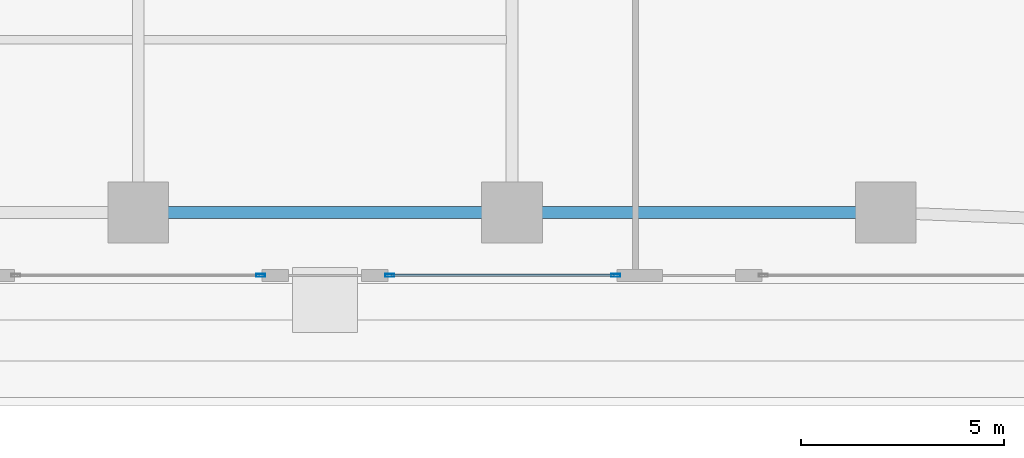
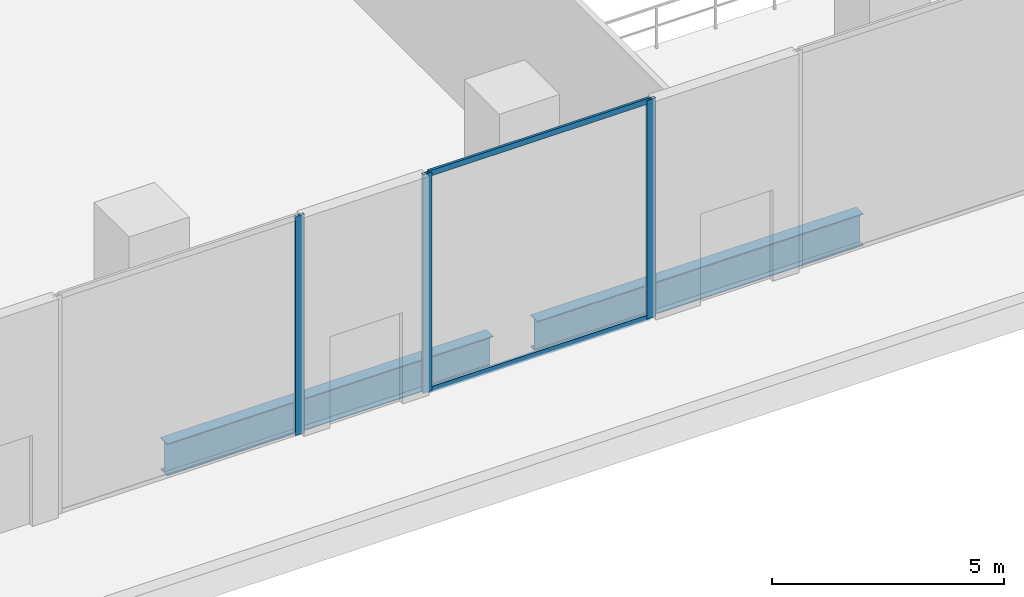
# One storey, part 8 of 39: 5 members, 2 beams, 2 elements without a shape of their own.
"""IFC4 building model written with IfcOpenShell, lengths in metres."""

from ifc_helpers import new_model, si_unit, direction, frame, origin, origin_2d, place, context, subcontext, project, spatial, hollow_rectangle, i_section, extrude, material, layer, layer_set, material_profile, profile_set, type_object, element, aggregate, save


model = new_model("IFC4")

# Units and contexts
model_context = context("Model", 3, precision=1e-05, world=origin(), true_north=direction((0.0, 1.0)))
body_context = subcontext(model_context, "Body", "Model", "MODEL_VIEW")
ifc_project = project(units=[si_unit("LENGTHUNIT", "METRE"), si_unit("AREAUNIT", "SQUARE_METRE"), si_unit("VOLUMEUNIT", "CUBIC_METRE"), si_unit("PLANEANGLEUNIT", "RADIAN"), si_unit("MASSUNIT", "GRAM", prefix="KILO")], contexts=[model_context])

# Site, building, storey
site_placement = place(None, origin())
site = spatial("IfcSite", under=ifc_project, at=site_placement, CompositionType="ELEMENT")
building_placement = place(site_placement, origin())
building = spatial("IfcBuilding", under=site, at=building_placement, Name="Zuhayl Quay Hotel", CompositionType="ELEMENT")
storey_placement = place(building_placement, origin())
storey = spatial("IfcBuildingStorey", under=building, at=storey_placement, Name="L00", CompositionType="ELEMENT", Elevation=0.0)

# Beams
ifc_material_1 = material(Name="Steel ASTM A992 Grade 50", Category="steel")
ifc_material_profile_1 = material_profile(ifc_material_1, i_section(OverallWidth=0.2919921875, OverallDepth=0.845947265625, WebThickness=0.015380859375, FlangeThickness=0.0244140625, at=origin_2d()), Name="W33X141")
ifc_profile_set_1 = profile_set([ifc_material_profile_1], Name="Steel ASTM A992 Grade 50")
beam_type = type_object("IfcBeamType", Name="BM_PG3_W33X141", PredefinedType="BEAM", material=ifc_profile_set_1)
for number, where, z_axis, x_axis, name in (
    (1, (-4.050048828125, -22.449951171875, -0.68310546875), (1.0, 0.0, 0.0), (0.0, 1.0, 0.0), "L00 Floor Beam PG_S_L00_2"),
    (2, (5.14990234375, -22.449951171875, -0.68310546875), (1.0, 0.0, 0.0), (0.0, 1.0, 0.0), "L00 Floor Beam PG_S_L00_3"),
):
    element("IfcBeam", number, at=place(storey_placement, frame(where, z_axis=z_axis, x_axis=x_axis)), inside=storey, type_object=beam_type, Name=name, PredefinedType="BEAM", context=body_context, shape_type="SweptSolid", body=[
        extrude(i_section(OverallWidth=0.2919921875, OverallDepth=0.845947265625, WebThickness=0.015380859375, FlangeThickness=0.0244140625, at=origin_2d()), origin(), (0.0, 0.0, 1.0), 8.10009765625),
    ])

# Curtain wall, members
ifc_material_2 = material(Name="Anodised Aluminium 6063-T6", Category="aluminium")
ifc_layer = layer(ifc_material_2, 0.199951171875, Name="Anodised Aluminium 6063-T6", Category="aluminium")
ifc_layer_set = layer_set([ifc_layer], Name="Anodised Aluminium 6063-T6")
curtain_wall_type = type_object("IfcCurtainWallType", Name="CW_SYS_POD", PredefinedType="USERDEFINED", material=ifc_layer_set)
curtain_wall_1_placement = place(storey_placement, origin())
curtain_wall_1 = element("IfcCurtainWall", 3, at=curtain_wall_1_placement, inside=storey, type_object=curtain_wall_type, Name="L00 Curtain Wall ENV_L00_E11_CW3", ObjectType="UNITISED CURTAIN WALL", PredefinedType="USERDEFINED")
ifc_material_3 = material(Name="Black-anodised aluminium 6063-T6", Category="aluminium")
ifc_material_profile_2 = material_profile(ifc_material_3, hollow_rectangle(XDim=0.074951171875, YDim=0.219970703125, WallThickness=0.00390625, at=origin_2d()), Name="ALU220X75")
ifc_profile_set_2 = profile_set([ifc_material_profile_2], Name="Black-anodised aluminium 6063-T6")
member_type_1 = type_object("IfcMemberType", Name="MB_CW_MUL_220", PredefinedType="MULLION", material=ifc_profile_set_2)
member_1_placement = place(storey_placement, frame((7.152587890625, -24.0, 0.0), z_axis=(0.0, 0.0, 1.0), x_axis=(0.0, -1.0, 0.0)))
member_1 = element("IfcMember", 4, at=member_1_placement, type_object=member_type_1, Name="CW-POD mullion 1", PredefinedType="MULLION", context=body_context, shape_type="SweptSolid", body=[
    extrude(hollow_rectangle(XDim=0.074951171875, YDim=0.219970703125, WallThickness=0.00390625, at=origin_2d()), origin(), (0.0, 0.0, 1.0), 5.75),
])
member_2_placement = place(storey_placement, frame((1.58740234375, -24.0, 0.0), z_axis=(0.0, 0.0, 1.0), x_axis=(0.0, -1.0, 0.0)))
member_2 = element("IfcMember", 5, at=member_2_placement, type_object=member_type_1, Name="CW-POD mullion 2", PredefinedType="MULLION", context=body_context, shape_type="SweptSolid", body=[
    extrude(hollow_rectangle(XDim=0.074951171875, YDim=0.219970703125, WallThickness=0.00390625, at=origin_2d()), origin(), (0.0, 0.0, 1.0), 5.75),
])

# Curtain wall, member
curtain_wall_2_placement = place(storey_placement, origin())
curtain_wall_2 = element("IfcCurtainWall", 6, at=curtain_wall_2_placement, inside=storey, type_object=curtain_wall_type, Name="L00 Curtain Wall ENV_L00_E11_CW4", ObjectType="UNITISED CURTAIN WALL", PredefinedType="USERDEFINED")
member_3_placement = place(storey_placement, frame((-1.58740234375, -24.0, 0.0), z_axis=(0.0, 0.0, 1.0), x_axis=(0.0, -1.0, 0.0)))
member_3 = element("IfcMember", 7, at=member_3_placement, type_object=member_type_1, Name="CW-POD mullion 1", PredefinedType="MULLION", context=body_context, shape_type="SweptSolid", body=[
    extrude(hollow_rectangle(XDim=0.074951171875, YDim=0.219970703125, WallThickness=0.00390625, at=origin_2d()), origin(), (0.0, 0.0, 1.0), 5.75),
])
aggregate(curtain_wall_2, [member_3])

# Member
ifc_material_profile_3 = material_profile(ifc_material_3, hollow_rectangle(XDim=0.06005859375, YDim=0.14990234375, WallThickness=0.00341796875, at=origin_2d()), Name="ALU150X60")
ifc_profile_set_3 = profile_set([ifc_material_profile_3], Name="Black-anodised aluminium 6063-T6")
member_type_2 = type_object("IfcMemberType", Name="MB_CW_TRN_150", PredefinedType="USERDEFINED", material=ifc_profile_set_3)
member_4_placement = place(storey_placement, frame((7.114990234375, -24.0, 0.030029296875), z_axis=(-1.0, 0.0, 0.0), x_axis=(0.0, -1.0, 0.0)))
member_4 = element("IfcMember", 8, at=member_4_placement, type_object=member_type_2, Name="CW-POD transom 1.1", ObjectType="TRANSOM", PredefinedType="USERDEFINED", context=body_context, shape_type="SweptSolid", body=[
    extrude(hollow_rectangle(XDim=0.06005859375, YDim=0.14990234375, WallThickness=0.00341796875, at=origin_2d()), origin(), (0.0, 0.0, 1.0), 5.489990234375),
])

member_5_placement = place(storey_placement, frame((7.114990234375, -24.0, 5.719970703125), z_axis=(-1.0, 0.0, 0.0), x_axis=(0.0, -1.0, 0.0)))
member_5 = element("IfcMember", 9, at=member_5_placement, type_object=member_type_2, Name="CW-POD transom 1.2", ObjectType="TRANSOM", PredefinedType="USERDEFINED", context=body_context, shape_type="SweptSolid", body=[
    extrude(hollow_rectangle(XDim=0.06005859375, YDim=0.14990234375, WallThickness=0.00341796875, at=origin_2d()), origin(), (0.0, 0.0, 1.0), 5.489990234375),
])

aggregate(curtain_wall_1, [member_1, member_2, member_4, member_5])

save(model, "model.ifc")
